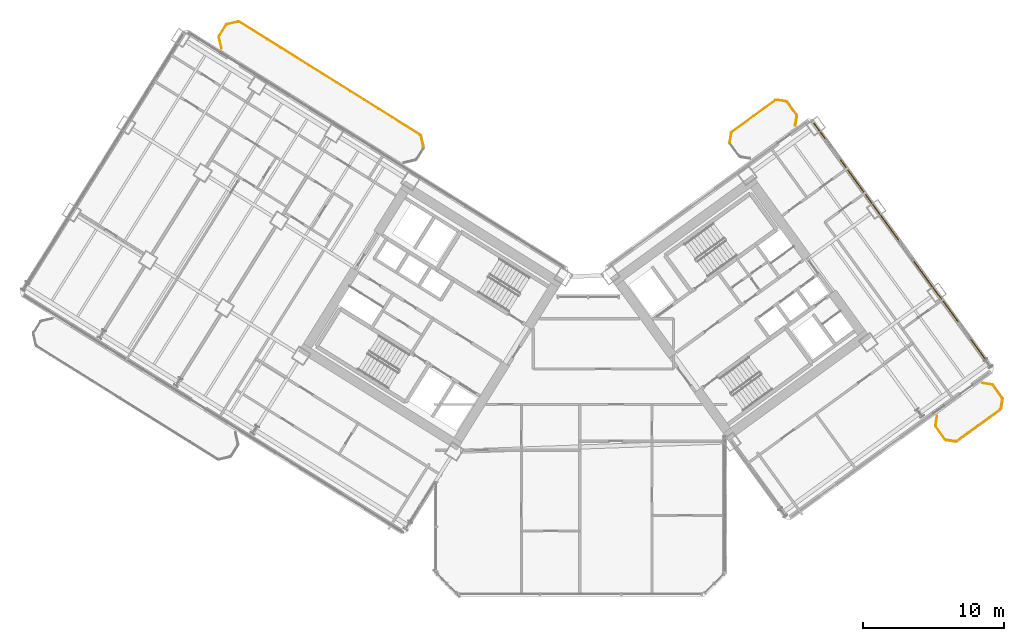
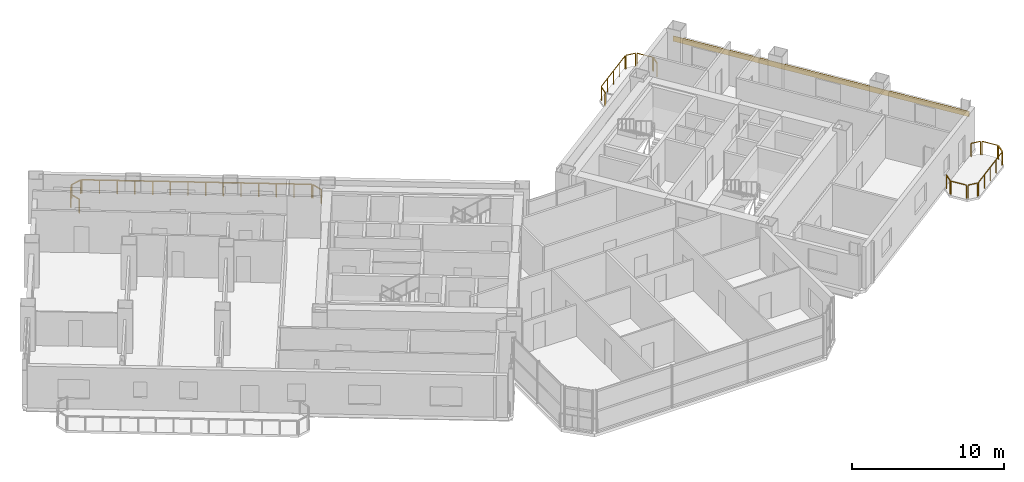
# One storey, part 28 of 28: 17 railings, 1 covering.
"""IFC4 building model written with IfcOpenShell, lengths in metres."""

from ifc_helpers import new_model, si_unit, direction, frame, origin, origin_2d, place, context, subcontext, project, spatial, rectangle, extrude, source, transform, mapped, material, layer, layer_set, type_object, element, save


model = new_model("IFC4")

# Units and contexts
model_context = context("Model", 3, precision=1e-05, world=origin(), true_north=direction((0.0, 1.0)))
body_context = subcontext(model_context, "Body", "Model", "MODEL_VIEW")
ifc_project = project(units=[si_unit("LENGTHUNIT", "METRE"), si_unit("AREAUNIT", "SQUARE_METRE"), si_unit("VOLUMEUNIT", "CUBIC_METRE"), si_unit("PLANEANGLEUNIT", "RADIAN"), si_unit("MASSUNIT", "GRAM", prefix="KILO")], contexts=[model_context])

# Site, building, storey
site_placement = place(None, origin())
site = spatial("IfcSite", under=ifc_project, at=site_placement, CompositionType="ELEMENT")
building_placement = place(site_placement, origin())
building = spatial("IfcBuilding", under=site, at=building_placement, Name="Tlacorven Tower", CompositionType="ELEMENT")
storey_placement = place(building_placement, frame((0.0, 0.0, 42.0)))
storey = spatial("IfcBuildingStorey", under=building, at=storey_placement, Name="L10", CompositionType="ELEMENT", Elevation=42.0)

# Railings
ifc_material_1 = material(Name="Aluminium and painted steel balustrade", Category="steel")
railing_type = type_object("IfcRailingType", Name="RL-BAL-1100", PredefinedType="BALUSTRADE", material=ifc_material_1)
shared_shape_1 = source(origin(), body_context, "Body", "SweptSolid", [
    extrude(rectangle(XDim=0.048095703125, YDim=0.048095703125, at=origin_2d()), frame((0.0, 0.0, 1.076171875), z_axis=(0.225058334816, -0.974345290916, 0.0), x_axis=(0.974345290916, 0.225058334816, 0.0)), (0.0, 0.0, 1.0), 0.80712890625),
    extrude(rectangle(XDim=0.0419921875, YDim=0.0419921875, at=origin_2d()), origin(), (0.0, 0.0, 1.0), 1.052001953125),
    extrude(rectangle(XDim=0.0419921875, YDim=0.0419921875, at=origin_2d()), frame((0.181640625, -0.786376953125, 0.0)), (0.0, 0.0, 1.0), 1.052001953125),
])
railing_1_placement = place(storey_placement, frame((30.6796875, 34.466064453125, 0.0)))
element("IfcRailing", 1, at=railing_1_placement, inside=storey, type_object=railing_type, Name="BAL-L10-W-IN Guard Railing 1", PredefinedType="BALUSTRADE", context=body_context, shape_type="MappedRepresentation", body=[
    mapped(shared_shape_1, transform((0.0, 0.0, 0.0), scale=1.0)),
])
shared_shape_2 = source(origin(), body_context, "Body", "SweptSolid", [
    extrude(rectangle(XDim=0.048095703125, YDim=0.048095703125, at=origin_2d()), frame((0.0, 0.0, 1.076171875), z_axis=(-0.225058334816, 0.974345290916, 0.0), x_axis=(-0.974345290916, -0.225058334816, 0.0)), (0.0, 0.0, 1.0), 0.80712890625),
    extrude(rectangle(XDim=0.0419921875, YDim=0.0419921875, at=origin_2d()), origin(), (0.0, 0.0, 1.0), 1.052001953125),
    extrude(rectangle(XDim=0.0419921875, YDim=0.0419921875, at=origin_2d()), frame((-0.181640625, 0.786376953125, 0.0)), (0.0, 0.0, 1.0), 1.052001953125),
])
railing_2_placement = place(storey_placement, frame((16.5361328125, 40.68115234375, 0.0)))
element("IfcRailing", 2, at=railing_2_placement, inside=storey, type_object=railing_type, Name="BAL-L10-W-IN Guard Railing 4", PredefinedType="BALUSTRADE", context=body_context, shape_type="MappedRepresentation", body=[
    mapped(shared_shape_2, transform((0.0, 0.0, 0.0), scale=1.0)),
])
shared_shape_3 = source(origin(), body_context, "Body", "SweptSolid", [
    extrude(rectangle(XDim=0.048095703125, YDim=0.048095703125, at=origin_2d()), frame((0.0, 0.0, 1.076171875), z_axis=(0.52987865805, 0.848073468364, 0.0), x_axis=(-0.848073468364, 0.52987865805, 0.0)), (0.0, 0.0, 1.0), 0.912353515625),
    extrude(rectangle(XDim=0.0419921875, YDim=0.0419921875, at=origin_2d()), origin(), (0.0, 0.0, 1.0), 1.052001953125),
    extrude(rectangle(XDim=0.0419921875, YDim=0.0419921875, at=origin_2d()), frame((0.4833984375, 0.773681640625, 0.0)), (0.0, 0.0, 1.0), 1.052001953125),
])
railing_3_placement = place(storey_placement, frame((16.369873046875, 41.55859375, 0.0)))
element("IfcRailing", 3, at=railing_3_placement, inside=storey, type_object=railing_type, Name="BAL-L10-W-IN Guard Railing 5", PredefinedType="BALUSTRADE", context=body_context, shape_type="MappedRepresentation", body=[
    mapped(shared_shape_3, transform((0.0, 0.0, 0.0), scale=1.0)),
])
shared_shape_4 = source(origin(), body_context, "Body", "SweptSolid", [
    extrude(rectangle(XDim=0.048095703125, YDim=0.048095703125, at=origin_2d()), frame((0.0, 0.0, 1.076171875), z_axis=(0.974411586182, 0.224771129628, 0.0), x_axis=(-0.224771129628, 0.974411586182, 0.0)), (0.0, 0.0, 1.0), 0.80712890625),
    extrude(rectangle(XDim=0.0419921875, YDim=0.0419921875, at=origin_2d()), origin(), (0.0, 0.0, 1.0), 1.052001953125),
    extrude(rectangle(XDim=0.0419921875, YDim=0.0419921875, at=origin_2d()), frame((0.786376953125, 0.181396484375, 0.0)), (0.0, 0.0, 1.0), 1.052001953125),
])
railing_4_placement = place(storey_placement, frame((16.928466796875, 42.385986328125, 0.0)))
element("IfcRailing", 4, at=railing_4_placement, inside=storey, type_object=railing_type, Name="BAL-L10-W-IN Guard Railing 6", PredefinedType="BALUSTRADE", context=body_context, shape_type="MappedRepresentation", body=[
    mapped(shared_shape_4, transform((0.0, 0.0, 0.0), scale=1.0)),
])
shared_shape_5 = source(origin(), body_context, "Body", "SweptSolid", [
    extrude(rectangle(XDim=0.048095703125, YDim=0.048095703125, at=origin_2d()), frame((0.0, 0.0, 1.076171875), z_axis=(0.848044572804, -0.529924902733, 0.0), x_axis=(0.529924902733, 0.848044572804, 0.0)), (0.0, 0.0, 1.0), 15.1171875),
    extrude(rectangle(XDim=0.0419921875, YDim=0.0419921875, at=origin_2d()), origin(), (0.0, 0.0, 1.0), 1.052001953125),
    extrude(rectangle(XDim=0.0419921875, YDim=0.0419921875, at=origin_2d()), frame((0.986083984375, -0.6162109375, 0.0)), (0.0, 0.0, 1.0), 1.052001953125),
    extrude(rectangle(XDim=0.0419921875, YDim=0.0419921875, at=origin_2d()), frame((1.972412109375, -1.232421875, 0.0)), (0.0, 0.0, 1.0), 1.052001953125),
    extrude(rectangle(XDim=0.0419921875, YDim=0.0419921875, at=origin_2d()), frame((2.95849609375, -1.8486328125, 0.0)), (0.0, 0.0, 1.0), 1.052001953125),
    extrude(rectangle(XDim=0.0419921875, YDim=0.0419921875, at=origin_2d()), frame((3.944580078125, -2.46484375, 0.0)), (0.0, 0.0, 1.0), 1.052001953125),
    extrude(rectangle(XDim=0.0419921875, YDim=0.0419921875, at=origin_2d()), frame((4.930908203125, -3.0810546875, 0.0)), (0.0, 0.0, 1.0), 1.052001953125),
    extrude(rectangle(XDim=0.0419921875, YDim=0.0419921875, at=origin_2d()), frame((5.9169921875, -3.697265625, 0.0)), (0.0, 0.0, 1.0), 1.052001953125),
    extrude(rectangle(XDim=0.0419921875, YDim=0.0419921875, at=origin_2d()), frame((6.903076171875, -4.313720703125, 0.0)), (0.0, 0.0, 1.0), 1.052001953125),
    extrude(rectangle(XDim=0.0419921875, YDim=0.0419921875, at=origin_2d()), frame((7.88916015625, -4.929931640625, 0.0)), (0.0, 0.0, 1.0), 1.052001953125),
    extrude(rectangle(XDim=0.0419921875, YDim=0.0419921875, at=origin_2d()), frame((8.87548828125, -5.546142578125, 0.0)), (0.0, 0.0, 1.0), 1.052001953125),
    extrude(rectangle(XDim=0.0419921875, YDim=0.0419921875, at=origin_2d()), frame((9.861572265625, -6.162353515625, 0.0)), (0.0, 0.0, 1.0), 1.052001953125),
    extrude(rectangle(XDim=0.0419921875, YDim=0.0419921875, at=origin_2d()), frame((10.84765625, -6.778564453125, 0.0)), (0.0, 0.0, 1.0), 1.052001953125),
    extrude(rectangle(XDim=0.0419921875, YDim=0.0419921875, at=origin_2d()), frame((11.833984375, -7.394775390625, 0.0)), (0.0, 0.0, 1.0), 1.052001953125),
    extrude(rectangle(XDim=0.0419921875, YDim=0.0419921875, at=origin_2d()), frame((12.820068359375, -8.010986328125, 0.0)), (0.0, 0.0, 1.0), 1.052001953125),
])
railing_5_placement = place(storey_placement, frame((17.805908203125, 42.55224609375, 0.0)))
element("IfcRailing", 5, at=railing_5_placement, inside=storey, type_object=railing_type, Name="BAL-L10-W-IN Guard Railing 7", PredefinedType="BALUSTRADE", context=body_context, shape_type="MappedRepresentation", body=[
    mapped(shared_shape_5, transform((0.0, 0.0, 0.0), scale=1.0)),
])
shared_shape_6 = source(origin(), body_context, "Body", "SweptSolid", [
    extrude(rectangle(XDim=0.048095703125, YDim=0.048095703125, at=origin_2d()), frame((0.0, 0.0, 1.076171875), z_axis=(-0.987661653326, 0.156602868908, 0.0), x_axis=(-0.156602868908, -0.987661653326, 0.0)), (0.0, 0.0, 1.0), 0.665771484375),
    extrude(rectangle(XDim=0.0419921875, YDim=0.0419921875, at=origin_2d()), origin(), (0.0, 0.0, 1.0), 1.052001953125),
    extrude(rectangle(XDim=0.0419921875, YDim=0.0419921875, at=origin_2d()), frame((-0.657470703125, 0.104248046875, 0.0)), (0.0, 0.0, 1.0), 1.052001953125),
])
railing_6_placement = place(storey_placement, frame((68.59521484375, 12.7919921875, 0.0)))
element("IfcRailing", 6, at=railing_6_placement, inside=storey, type_object=railing_type, Name="BAL-L10-E-OUT Guard Railing 1", PredefinedType="BALUSTRADE", context=body_context, shape_type="MappedRepresentation", body=[
    mapped(shared_shape_6, transform((0.0, 0.0, 0.0), scale=1.0)),
])
shared_shape_7 = source(origin(), body_context, "Body", "SweptSolid", [
    extrude(rectangle(XDim=0.048095703125, YDim=0.048095703125, at=origin_2d()), frame((0.0, 0.0, 1.076171875), z_axis=(-0.58788449985, 0.808944877501, 0.0), x_axis=(-0.808944877501, -0.58788449985, 0.0)), (0.0, 0.0, 1.0), 1.112060546875),
    extrude(rectangle(XDim=0.0419921875, YDim=0.0419921875, at=origin_2d()), origin(), (0.0, 0.0, 1.0), 1.052001953125),
    extrude(rectangle(XDim=0.0419921875, YDim=0.0419921875, at=origin_2d()), frame((-0.65380859375, 0.899658203125, 0.0)), (0.0, 0.0, 1.0), 1.052001953125),
])
railing_7_placement = place(storey_placement, frame((67.85888671875, 12.944580078125, 0.0)))
element("IfcRailing", 7, at=railing_7_placement, inside=storey, type_object=railing_type, Name="BAL-L10-E-OUT Guard Railing 2", PredefinedType="BALUSTRADE", context=body_context, shape_type="MappedRepresentation", body=[
    mapped(shared_shape_7, transform((0.0, 0.0, 0.0), scale=1.0)),
])
shared_shape_8 = source(origin(), body_context, "Body", "SweptSolid", [
    extrude(rectangle(XDim=0.048095703125, YDim=0.048095703125, at=origin_2d()), frame((0.0, 0.0, 1.076171875), z_axis=(0.156602868908, 0.987661653326, 0.0), x_axis=(-0.987661653326, 0.156602868908, 0.0)), (0.0, 0.0, 1.0), 0.665771484375),
    extrude(rectangle(XDim=0.0419921875, YDim=0.0419921875, at=origin_2d()), origin(), (0.0, 0.0, 1.0), 1.052001953125),
    extrude(rectangle(XDim=0.0419921875, YDim=0.0419921875, at=origin_2d()), frame((0.104248046875, 0.657470703125, 0.0)), (0.0, 0.0, 1.0), 1.052001953125),
])
railing_8_placement = place(storey_placement, frame((67.18359375, 13.93408203125, 0.0)))
element("IfcRailing", 8, at=railing_8_placement, inside=storey, type_object=railing_type, Name="BAL-L10-E-OUT Guard Railing 3", PredefinedType="BALUSTRADE", context=body_context, shape_type="MappedRepresentation", body=[
    mapped(shared_shape_8, transform((0.0, 0.0, 0.0), scale=1.0)),
])
shared_shape_9 = source(origin(), body_context, "Body", "SweptSolid", [
    extrude(rectangle(XDim=0.048095703125, YDim=0.048095703125, at=origin_2d()), frame((0.0, 0.0, 1.076171875), z_axis=(0.987718317463, -0.156245081039, 0.0), x_axis=(0.156245081039, 0.987718317463, 0.0)), (0.0, 0.0, 1.0), 0.66552734375),
    extrude(rectangle(XDim=0.0419921875, YDim=0.0419921875, at=origin_2d()), origin(), (0.0, 0.0, 1.0), 1.052001953125),
    extrude(rectangle(XDim=0.0419921875, YDim=0.0419921875, at=origin_2d()), frame((0.657470703125, -0.10400390625, 0.0)), (0.0, 0.0, 1.0), 1.052001953125),
])
railing_9_placement = place(storey_placement, frame((70.513916015625, 16.935546875, 0.0)))
element("IfcRailing", 9, at=railing_9_placement, inside=storey, type_object=railing_type, Name="BAL-L10-E-OUT Guard Railing 4", PredefinedType="BALUSTRADE", context=body_context, shape_type="MappedRepresentation", body=[
    mapped(shared_shape_9, transform((0.0, 0.0, 0.0), scale=1.0)),
])
shared_shape_10 = source(origin(), body_context, "Body", "SweptSolid", [
    extrude(rectangle(XDim=0.048095703125, YDim=0.048095703125, at=origin_2d()), frame((0.0, 0.0, 1.076171875), z_axis=(0.58788449985, -0.808944877501, 0.0), x_axis=(0.808944877501, 0.58788449985, 0.0)), (0.0, 0.0, 1.0), 1.112060546875),
    extrude(rectangle(XDim=0.0419921875, YDim=0.0419921875, at=origin_2d()), origin(), (0.0, 0.0, 1.0), 1.052001953125),
    extrude(rectangle(XDim=0.0419921875, YDim=0.0419921875, at=origin_2d()), frame((0.65380859375, -0.899658203125, 0.0)), (0.0, 0.0, 1.0), 1.052001953125),
])
for number, where, name in (
    (10, (71.250244140625, 16.783203125, 0.0), "BAL-L10-E-OUT Guard Railing 5"),
    (11, (56.658447265625, 36.866943359375, 0.0), "BAL-L10-E-IN Guard Railing 6"),
):
    element("IfcRailing", number, at=place(storey_placement, frame(where)), inside=storey, type_object=railing_type, Name=name, PredefinedType="BALUSTRADE", context=body_context, shape_type="MappedRepresentation", body=[
        mapped(shared_shape_10, transform((0.0, 0.0, 0.0), scale=1.0)),
    ])
shared_shape_11 = source(origin(), body_context, "Body", "SweptSolid", [
    extrude(rectangle(XDim=0.048095703125, YDim=0.048095703125, at=origin_2d()), frame((0.0, 0.0, 1.076171875), z_axis=(-0.156188498702, -0.987727266442, 0.0), x_axis=(0.987727266442, -0.156188498702, 0.0)), (0.0, 0.0, 1.0), 0.665771484375),
    extrude(rectangle(XDim=0.0419921875, YDim=0.0419921875, at=origin_2d()), origin(), (0.0, 0.0, 1.0), 1.052001953125),
    extrude(rectangle(XDim=0.0419921875, YDim=0.0419921875, at=origin_2d()), frame((-0.10400390625, -0.65771484375, 0.0)), (0.0, 0.0, 1.0), 1.052001953125),
])
railing_10_placement = place(storey_placement, frame((71.925537109375, 15.793701171875, 0.0)))
element("IfcRailing", 12, at=railing_10_placement, inside=storey, type_object=railing_type, Name="BAL-L10-E-OUT Guard Railing 6", PredefinedType="BALUSTRADE", context=body_context, shape_type="MappedRepresentation", body=[
    mapped(shared_shape_11, transform((0.0, 0.0, 0.0), scale=1.0)),
])
shared_shape_12 = source(origin(), body_context, "Body", "SweptSolid", [
    extrude(rectangle(XDim=0.048095703125, YDim=0.048095703125, at=origin_2d()), frame((0.0, 0.0, 1.076171875), z_axis=(-0.809018102573, -0.587783726986, 0.0), x_axis=(0.587783726986, -0.809018102573, 0.0)), (0.0, 0.0, 1.0), 3.817138671875),
    extrude(rectangle(XDim=0.0419921875, YDim=0.0419921875, at=origin_2d()), origin(), (0.0, 0.0, 1.0), 1.052001953125),
    extrude(rectangle(XDim=0.0419921875, YDim=0.0419921875, at=origin_2d()), frame((-0.77197265625, -0.56103515625, 0.0)), (0.0, 0.0, 1.0), 1.052001953125),
    extrude(rectangle(XDim=0.0419921875, YDim=0.0419921875, at=origin_2d()), frame((-1.5439453125, -1.121826171875, 0.0)), (0.0, 0.0, 1.0), 1.052001953125),
    extrude(rectangle(XDim=0.0419921875, YDim=0.0419921875, at=origin_2d()), frame((-2.316162109375, -1.6826171875, 0.0)), (0.0, 0.0, 1.0), 1.052001953125),
    extrude(rectangle(XDim=0.0419921875, YDim=0.0419921875, at=origin_2d()), frame((-3.088134765625, -2.24365234375, 0.0)), (0.0, 0.0, 1.0), 1.052001953125),
])
railing_11_placement = place(storey_placement, frame((71.773193359375, 15.057373046875, 0.0)))
element("IfcRailing", 13, at=railing_11_placement, inside=storey, type_object=railing_type, Name="BAL-L10-E-OUT Guard Railing 7", PredefinedType="BALUSTRADE", context=body_context, shape_type="MappedRepresentation", body=[
    mapped(shared_shape_12, transform((0.0, 0.0, 0.0), scale=1.0)),
])
shared_shape_13 = source(origin(), body_context, "Body", "SweptSolid", [
    extrude(rectangle(XDim=0.048095703125, YDim=0.048095703125, at=origin_2d()), frame((0.0, 0.0, 1.076171875), z_axis=(0.156546163506, 0.987670642822, 0.0), x_axis=(-0.987670642822, 0.156546163506, 0.0)), (0.0, 0.0, 1.0), 0.666015625),
    extrude(rectangle(XDim=0.0419921875, YDim=0.0419921875, at=origin_2d()), origin(), (0.0, 0.0, 1.0), 1.052001953125),
    extrude(rectangle(XDim=0.0419921875, YDim=0.0419921875, at=origin_2d()), frame((0.104248046875, 0.65771484375, 0.0)), (0.0, 0.0, 1.0), 1.052001953125),
])
railing_12_placement = place(storey_placement, frame((52.591796875, 34.017822265625, 0.0)))
element("IfcRailing", 14, at=railing_12_placement, inside=storey, type_object=railing_type, Name="BAL-L10-E-IN Guard Railing 3", PredefinedType="BALUSTRADE", context=body_context, shape_type="MappedRepresentation", body=[
    mapped(shared_shape_13, transform((0.0, 0.0, 0.0), scale=1.0)),
])
shared_shape_14 = source(origin(), body_context, "Body", "SweptSolid", [
    extrude(rectangle(XDim=0.048095703125, YDim=0.048095703125, at=origin_2d()), frame((0.0, 0.0, 1.076171875), z_axis=(0.809040198054, 0.587753313843, 0.0), x_axis=(-0.587753313843, 0.809040198054, 0.0)), (0.0, 0.0, 1.0), 3.8173828125),
    extrude(rectangle(XDim=0.0419921875, YDim=0.0419921875, at=origin_2d()), origin(), (0.0, 0.0, 1.0), 1.052001953125),
    extrude(rectangle(XDim=0.0419921875, YDim=0.0419921875, at=origin_2d()), frame((0.77197265625, 0.56103515625, 0.0)), (0.0, 0.0, 1.0), 1.052001953125),
    extrude(rectangle(XDim=0.0419921875, YDim=0.0419921875, at=origin_2d()), frame((1.544189453125, 1.121826171875, 0.0)), (0.0, 0.0, 1.0), 1.052001953125),
    extrude(rectangle(XDim=0.0419921875, YDim=0.0419921875, at=origin_2d()), frame((2.31640625, 1.6826171875, 0.0)), (0.0, 0.0, 1.0), 1.052001953125),
    extrude(rectangle(XDim=0.0419921875, YDim=0.0419921875, at=origin_2d()), frame((3.08837890625, 2.24365234375, 0.0)), (0.0, 0.0, 1.0), 1.052001953125),
])
railing_13_placement = place(storey_placement, frame((52.744140625, 34.754150390625, 0.0)))
element("IfcRailing", 15, at=railing_13_placement, inside=storey, type_object=railing_type, Name="BAL-L10-E-IN Guard Railing 4", PredefinedType="BALUSTRADE", context=body_context, shape_type="MappedRepresentation", body=[
    mapped(shared_shape_14, transform((0.0, 0.0, 0.0), scale=1.0)),
])
shared_shape_15 = source(origin(), body_context, "Body", "SweptSolid", [
    extrude(rectangle(XDim=0.048095703125, YDim=0.048095703125, at=origin_2d()), frame((0.0, 0.0, 1.076171875), z_axis=(0.987670642822, -0.156546163506, 0.0), x_axis=(0.156546163506, 0.987670642822, 0.0)), (0.0, 0.0, 1.0), 0.666015625),
    extrude(rectangle(XDim=0.0419921875, YDim=0.0419921875, at=origin_2d()), origin(), (0.0, 0.0, 1.0), 1.052001953125),
    extrude(rectangle(XDim=0.0419921875, YDim=0.0419921875, at=origin_2d()), frame((0.65771484375, -0.104248046875, 0.0)), (0.0, 0.0, 1.0), 1.052001953125),
])
railing_14_placement = place(storey_placement, frame((55.922119140625, 37.01953125, 0.0)))
element("IfcRailing", 16, at=railing_14_placement, inside=storey, type_object=railing_type, Name="BAL-L10-E-IN Guard Railing 5", PredefinedType="BALUSTRADE", context=body_context, shape_type="MappedRepresentation", body=[
    mapped(shared_shape_15, transform((0.0, 0.0, 0.0), scale=1.0)),
])
shared_shape_16 = source(origin(), body_context, "Body", "SweptSolid", [
    extrude(rectangle(XDim=0.048095703125, YDim=0.048095703125, at=origin_2d()), frame((0.0, 0.0, 1.076171875), z_axis=(-0.156245081039, -0.987718317463, 0.0), x_axis=(0.987718317463, -0.156245081039, 0.0)), (0.0, 0.0, 1.0), 0.66552734375),
    extrude(rectangle(XDim=0.0419921875, YDim=0.0419921875, at=origin_2d()), origin(), (0.0, 0.0, 1.0), 1.052001953125),
    extrude(rectangle(XDim=0.0419921875, YDim=0.0419921875, at=origin_2d()), frame((-0.10400390625, -0.657470703125, 0.0)), (0.0, 0.0, 1.0), 1.052001953125),
])
railing_15_placement = place(storey_placement, frame((57.333740234375, 35.87744140625, 0.0)))
element("IfcRailing", 17, at=railing_15_placement, inside=storey, type_object=railing_type, Name="BAL-L10-E-IN Guard Railing 7", PredefinedType="BALUSTRADE", context=body_context, shape_type="MappedRepresentation", body=[
    mapped(shared_shape_16, transform((0.0, 0.0, 0.0), scale=1.0)),
])

# Covering
ifc_material_2 = material(Name="Precast concrete C45/55", Category="concrete")
ifc_layer = layer(ifc_material_2, 0.06005859375)
ifc_layer_set = layer_set([ifc_layer], Name="Precast concrete C45/55")
covering_type = type_object("IfcCoveringType", Name="CV-CLD-TERC", PredefinedType="CLADDING", material=ifc_layer_set)
shared_shape_17 = source(origin(), body_context, "Body", "SweptSolid", [
    extrude(rectangle(XDim=21.287353515625, YDim=0.06005859375, at=origin_2d()), origin(), (0.0, 0.0, 1.0), 0.419921875),
])
covering_placement = place(storey_placement, frame((64.799072265625, 26.75146484375, 2.304931640625), z_axis=(0.0, 0.0, 1.0), x_axis=(0.587785363163, -0.809016913823, 0.0)))
element("IfcCovering", 18, at=covering_placement, inside=storey, type_object=covering_type, Name="L10 Masonry-Frame Spandrel Cladding 5", PredefinedType="CLADDING", context=body_context, shape_type="MappedRepresentation", body=[
    mapped(shared_shape_17, transform((0.0, 0.0, 0.0), scale=1.0)),
])

save(model, "model.ifc")
